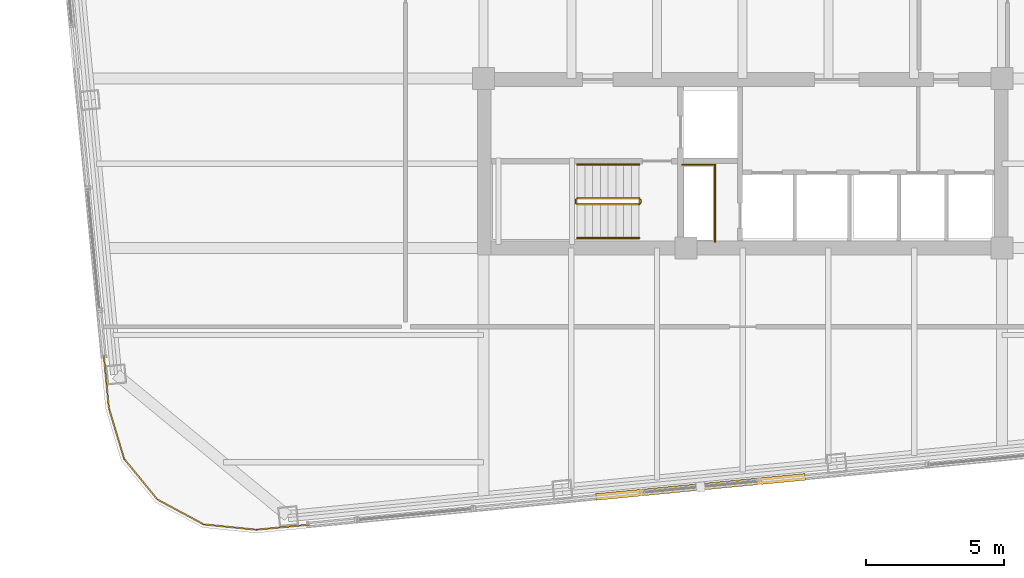
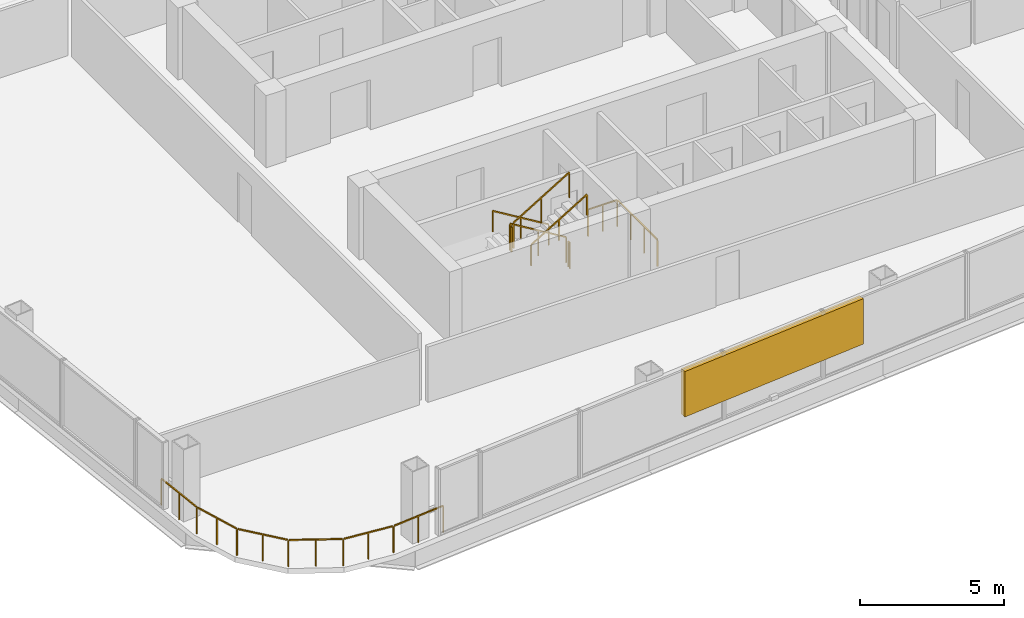
# One storey, part 26 of 28: 8 railings, 1 shading device.
"""IFC4 building model written with IfcOpenShell, lengths in metres."""

import ifcopenshell
import ifcopenshell.guid

model = None  # the IFC model being written
_history = None  # IfcOwnerHistory: only IFC2X3 demands one
_inside = {}  # id of a spatial element -> (the spatial element, [elements in it])
_under = {}  # id of a project, library or spatial element -> (it, [spatial elements below it])
_declared = {}  # id of a project -> (the project, [libraries it declares])
_typed = {}  # id of a type object -> (the type object, [elements of that type])
_made_of = {}  # id of a material, layer set ... -> (it, [elements and type objects made of it])


def new_model(schema):
    """Start an empty IFC model of exactly this schema.

    Asked for "IFC4X3", IfcOpenShell would pick the latest addendum, in which some entities
    have other attributes; the version numbers below select the first issue.
    IFC2X3 requires an IfcOwnerHistory on every rooted entity: one is made here for all.
    """
    global model, _history
    if schema == "IFC4X3":
        model = ifcopenshell.file(schema_version=(4, 3, 0, 0))
    else:
        model = ifcopenshell.file(schema=schema)
    _inside.clear()
    _under.clear()
    _declared.clear()
    _typed.clear()
    _made_of.clear()
    _history = None
    if model.schema == "IFC2X3":
        org = make("IfcOrganization", Name="unknown")
        user = make(
            "IfcPersonAndOrganization",
            ThePerson=make("IfcPerson", FamilyName="unknown"),
            TheOrganization=org,
        )
        app = make(
            "IfcApplication",
            ApplicationDeveloper=org,
            Version="unknown",
            ApplicationFullName="unknown",
            ApplicationIdentifier="unknown",
        )
        _history = make(
            "IfcOwnerHistory",
            OwningUser=user,
            OwningApplication=app,
            ChangeAction="ADDED",
            CreationDate=0,
        )
    return model


def make(cls, **values):
    """One entity of the class cls with the attributes given. An attribute that is None is left unset."""
    return model.create_entity(
        cls, **{name: value for name, value in values.items() if value is not None}
    )


def rooted(cls, **values):
    """An entity with a GlobalId (a new one), such as an element, a storey or a relation."""
    return make(cls, GlobalId=ifcopenshell.guid.new(), OwnerHistory=_history, **values)


def si_unit(unit_type, name, prefix=None):
    """IfcSIUnit, for example si_unit("LENGTHUNIT", "METRE", prefix="MILLI")."""
    return make("IfcSIUnit", UnitType=unit_type, Prefix=prefix, Name=name)


def assignment(units):
    """IfcUnitAssignment: the units of a project."""
    return None if units is None else make("IfcUnitAssignment", Units=units)


def point(xyz):
    """IfcCartesianPoint."""
    return None if xyz is None else make("IfcCartesianPoint", Coordinates=xyz)


def direction(xyz):
    """IfcDirection."""
    return None if xyz is None else make("IfcDirection", DirectionRatios=xyz)


def frame(location, z_axis=None, x_axis=None):
    """IfcAxis2Placement3D, a coordinate frame: its origin and axes. An axis left out is left unset."""
    return make(
        "IfcAxis2Placement3D",
        Location=point(location),
        Axis=direction(z_axis),
        RefDirection=direction(x_axis),
    )


def frame_2d(location, x_axis=None):
    """IfcAxis2Placement2D, a coordinate frame in the plane: its origin and x axis."""
    return make(
        "IfcAxis2Placement2D", Location=point(location), RefDirection=direction(x_axis)
    )


def origin():
    """The frame at (0, 0, 0) with its axes left unset."""
    return frame((0.0, 0.0, 0.0))


def origin_2d():
    """The frame at (0, 0) in the plane with its x axis left unset."""
    return frame_2d((0.0, 0.0))


def place(relative_to, where):
    """IfcLocalPlacement: puts the frame where relative to a parent placement (None: the world)."""
    return make(
        "IfcLocalPlacement", PlacementRelTo=relative_to, RelativePlacement=where
    )


def context(
    kind, dimensions, precision=None, world=None, true_north=None, identifier=None
):
    """IfcGeometricRepresentationContext, for example the 3D "Model" context."""
    return make(
        "IfcGeometricRepresentationContext",
        ContextIdentifier=identifier,
        ContextType=kind,
        CoordinateSpaceDimension=dimensions,
        Precision=precision,
        WorldCoordinateSystem=world,
        TrueNorth=true_north,
    )


def subcontext(parent, identifier, kind, view, scale=None):
    """IfcGeometricRepresentationSubContext, for example "Body" below "Model"."""
    return make(
        "IfcGeometricRepresentationSubContext",
        ContextIdentifier=identifier,
        ContextType=kind,
        ParentContext=parent,
        TargetScale=scale,
        TargetView=view,
    )


def project(units=None, contexts=None):
    """IfcProject with its units and contexts."""
    return rooted(
        "IfcProject",
        Name="project",
        RepresentationContexts=contexts,
        UnitsInContext=assignment(units),
    )


def spatial(cls, under=None, at=None, **own):
    """A site, building, storey or space (cls), placed at a placement, below another one or the project."""
    s = rooted(cls, ObjectPlacement=at, **own)
    if under is not None:
        _under.setdefault(under.id(), (under, []))[1].append(s)
    return s


def profile(cls, at=None, kind="AREA", **sizes):
    """A parametric profile (cls). Its sizes go by their IFC names, for example OverallWidth=200.0."""
    return make(cls, ProfileType=kind, Position=at, **sizes)


def rectangle(**sizes):
    """IfcRectangleProfileDef."""
    return profile("IfcRectangleProfileDef", **sizes)


def extrude(swept, where, along, depth):
    """IfcExtrudedAreaSolid: the profile swept, set in the frame where, extruded along a direction by depth."""
    return make(
        "IfcExtrudedAreaSolid",
        SweptArea=swept,
        Position=where,
        ExtrudedDirection=direction(along),
        Depth=depth,
    )


def shape(context_of_items, identifier, shape_type, items):
    """IfcShapeRepresentation: the items that make up one representation, for example the "Body"."""
    return make(
        "IfcShapeRepresentation",
        ContextOfItems=context_of_items,
        RepresentationIdentifier=identifier,
        RepresentationType=shape_type,
        Items=items,
    )


def material(Name=None, Category=None):
    """IfcMaterial."""
    return make("IfcMaterial", Name=Name, Category=Category)


def made_of(thing, what):
    """Note that an element or type object is made of a material, layer set ...; save() writes the relation."""
    if what is not None:
        _made_of.setdefault(what.id(), (what, []))[1].append(thing)
    return thing


def type_object(cls, material=None, **own):
    """A type object (cls), such as IfcWallType, which elements share."""
    return made_of(rooted(cls, **own), material)


def element(
    cls,
    number,
    at=None,
    inside=None,
    cuts=None,
    type_object=None,
    material=None,
    context=None,
    identifier="Body",
    shape_type=None,
    held_by="IfcProductDefinitionShape",
    body=None,
    shapes=None,
    **own,
):
    """One element of the class cls, such as IfcWall. Its Tag is "e" and its number.

    at: its placement. inside: the storey or other place that contains it. cuts: it is an
    opening in that element (IfcRelVoidsElement). A single representation is given by context,
    identifier, shape_type and body (its items); several are given by shapes. held_by: the class
    of the entity that holds the representations. save() writes the other relations.
    """
    e = rooted(cls, Tag="e%d" % number, ObjectPlacement=at, **own)
    if body is not None:
        shapes = [shape(context, identifier, shape_type, body)]
    if shapes is not None:
        e.Representation = make(held_by, Representations=shapes)
    if inside is not None:
        _inside.setdefault(inside.id(), (inside, []))[1].append(e)
    if cuts is not None:
        rooted(
            "IfcRelVoidsElement", RelatingBuildingElement=cuts, RelatedOpeningElement=e
        )
    if type_object is not None:
        _typed.setdefault(type_object.id(), (type_object, []))[1].append(e)
    return made_of(e, material)


def aggregate(whole, parts):
    """IfcRelAggregates: a whole, such as a stair, and the parts it consists of."""
    return rooted("IfcRelAggregates", RelatingObject=whole, RelatedObjects=parts)


def save(model, path):
    """Write the relations noted so far, then the file.

    IfcRelAggregates (storeys below a building ...), IfcRelContainedInSpatialStructure (elements
    in a storey), IfcRelDefinesByType, IfcRelAssociatesMaterial and IfcRelDeclares: one each for
    every whole, place, type object, material and project.
    """
    for whole, parts in _under.values():
        aggregate(whole, parts)
    for where, things in _inside.values():
        rooted(
            "IfcRelContainedInSpatialStructure",
            RelatedElements=things,
            RelatingStructure=where,
        )
    for kind, things in _typed.values():
        rooted("IfcRelDefinesByType", RelatedObjects=things, RelatingType=kind)
    for what, things in _made_of.values():
        rooted("IfcRelAssociatesMaterial", RelatedObjects=things, RelatingMaterial=what)
    for by, libraries in _declared.values():
        rooted("IfcRelDeclares", RelatingContext=by, RelatedDefinitions=libraries)
    model.write(path)


model = new_model("IFC4")

# Units and contexts
model_context = context("Model", 3, precision=1e-05, world=origin(), true_north=direction((0.0, 1.0)))
body_context = subcontext(model_context, "Body", "Model", "MODEL_VIEW")
ifc_project = project(units=[si_unit("LENGTHUNIT", "METRE"), si_unit("AREAUNIT", "SQUARE_METRE"), si_unit("VOLUMEUNIT", "CUBIC_METRE"), si_unit("PLANEANGLEUNIT", "RADIAN"), si_unit("MASSUNIT", "GRAM", prefix="KILO")], contexts=[model_context])

# Site, building, storey
site_placement = place(None, origin())
site = spatial("IfcSite", under=ifc_project, at=site_placement, CompositionType="ELEMENT")
building_placement = place(site_placement, origin())
building = spatial("IfcBuilding", under=site, at=building_placement, Name="Qhalaya Broadcast Tower", CompositionType="ELEMENT")
storey_placement = place(building_placement, frame((0.0, 0.0, 159.199951171875)))
storey = spatial("IfcBuildingStorey", under=building, at=storey_placement, Name="L46", CompositionType="ELEMENT", Elevation=159.199951171875)

# Railings
ifc_material_1 = material(Name="Powder-Coated Galvanised Steel", Category="steel")
railing_type_1 = type_object("IfcRailingType", Name="Stair Wall Handrail 900", PredefinedType="HANDRAIL", material=ifc_material_1)
railing_1_placement = place(storey_placement, frame((-3.75, -5.72998046875, 0.16943359375)))
element("IfcRailing", 1, at=railing_1_placement, inside=storey, type_object=railing_type_1, Name="L46 ST-2 Stair Handrail 1", PredefinedType="HANDRAIL", context=body_context, shape_type="SweptSolid", body=[
    extrude(rectangle(XDim=0.048095703125, YDim=0.048095703125, at=origin_2d()), frame((0.0, 0.0, 0.8759765625), z_axis=(-0.855512035549, 0.0, 0.517782924622), x_axis=(0.0, -1.0, 0.0)), (0.0, 0.0, 1.0), 2.618408203125),
    extrude(rectangle(XDim=0.0419921875, YDim=0.0419921875, at=origin_2d()), origin(), (0.0, 0.0, 1.0), 0.849853515625),
    extrude(rectangle(XDim=0.0419921875, YDim=0.0419921875, at=origin_2d()), frame((-1.1201171875, 0.0, 0.677734375)), (0.0, 0.0, 1.0), 0.849853515625),
    extrude(rectangle(XDim=0.0419921875, YDim=0.0419921875, at=origin_2d()), frame((-2.239990234375, 0.0, 1.355712890625)), (0.0, 0.0, 1.0), 0.849853515625),
])
railing_2_placement = place(storey_placement, frame((-5.989990234375, -8.389892578125, 1.694580078125)))
element("IfcRailing", 2, at=railing_2_placement, inside=storey, type_object=railing_type_1, Name="L46 ST-2 Stair Handrail 2", PredefinedType="HANDRAIL", context=body_context, shape_type="SweptSolid", body=[
    extrude(rectangle(XDim=0.048095703125, YDim=0.048095703125, at=origin_2d()), frame((0.0, 0.0, 0.8759765625), z_axis=(0.855553338991, 0.0, 0.51771467445), x_axis=(0.0, 1.0, 0.0)), (0.0, 0.0, 1.0), 2.6181640625),
    extrude(rectangle(XDim=0.0419921875, YDim=0.0419921875, at=origin_2d()), origin(), (0.0, 0.0, 1.0), 0.849853515625),
    extrude(rectangle(XDim=0.0419921875, YDim=0.0419921875, at=origin_2d()), frame((1.1201171875, 0.0, 0.677734375)), (0.0, 0.0, 1.0), 0.849853515625),
    extrude(rectangle(XDim=0.0419921875, YDim=0.0419921875, at=origin_2d()), frame((2.239990234375, 0.0, 1.35546875)), (0.0, 0.0, 1.0), 0.849853515625),
])
railing_type_2 = type_object("IfcRailingType", Name="Stair Well & Landing Guardrail 1100", PredefinedType="GUARDRAIL", material=ifc_material_1)
railing_3_placement = place(storey_placement, frame((-1.0, -8.52001953125, 0.0)))
element("IfcRailing", 3, at=railing_3_placement, inside=storey, type_object=railing_type_2, Name="L46 Service Riser Opening Safety Guard SRSR", PredefinedType="GUARDRAIL", context=body_context, shape_type="SweptSolid", body=[
    extrude(rectangle(XDim=0.048095703125, YDim=0.048095703125, at=origin_2d()), frame((0.0, 0.0, 1.1259765625), z_axis=(0.0, 1.0, 0.0), x_axis=(-1.0, 0.0, 0.0)), (0.0, 0.0, 1.0), 2.751220703125),
    extrude(rectangle(XDim=0.048095703125, YDim=0.048095703125, at=origin_2d()), frame((-0.02880859375, 2.780029296875, 1.1259765625), z_axis=(-1.0, 0.0, 0.0), x_axis=(0.0, -1.0, 0.0)), (0.0, 0.0, 1.0), 1.151123046875),
    extrude(rectangle(XDim=0.0419921875, YDim=0.0419921875, at=origin_2d()), origin(), (0.0, 0.0, 1.0), 1.099853515625),
    extrude(rectangle(XDim=0.0419921875, YDim=0.0419921875, at=origin_2d()), frame((0.0, 0.9267578125, 0.0)), (0.0, 0.0, 1.0), 1.099853515625),
    extrude(rectangle(XDim=0.0419921875, YDim=0.0419921875, at=origin_2d()), frame((0.0, 1.853271484375, 0.0)), (0.0, 0.0, 1.0), 1.099853515625),
    extrude(rectangle(XDim=0.0419921875, YDim=0.0419921875, at=origin_2d()), frame((0.0, 2.780029296875, 0.0)), (0.0, 0.0, 1.0), 1.099853515625),
    extrude(rectangle(XDim=0.0419921875, YDim=0.0419921875, at=origin_2d()), frame((-0.58984375, 2.780029296875, 0.0)), (0.0, 0.0, 1.0), 1.099853515625),
    extrude(rectangle(XDim=0.0419921875, YDim=0.0419921875, at=origin_2d()), frame((-1.179931640625, 2.780029296875, 0.0)), (0.0, 0.0, 1.0), 1.099853515625),
])
railing_4_placement = place(storey_placement, frame((-3.75, -6.949951171875, 0.16943359375)))
element("IfcRailing", 4, at=railing_4_placement, inside=storey, type_object=railing_type_2, Name="L46 ST-2 Stair Guard 1", PredefinedType="GUARDRAIL", context=body_context, shape_type="SweptSolid", body=[
    extrude(rectangle(XDim=0.048095703125, YDim=0.048095703125, at=origin_2d()), frame((0.0, 0.0, 1.076171875), z_axis=(-0.855512035549, 0.0, 0.517782924622), x_axis=(0.0, -1.0, 0.0)), (0.0, 0.0, 1.0), 2.618408203125),
    extrude(rectangle(XDim=0.0419921875, YDim=0.0419921875, at=origin_2d()), origin(), (0.0, 0.0, 1.0), 1.050048828125),
    extrude(rectangle(XDim=0.0419921875, YDim=0.0419921875, at=origin_2d()), frame((-1.1201171875, 0.0, 0.677734375)), (0.0, 0.0, 1.0), 1.050048828125),
    extrude(rectangle(XDim=0.0419921875, YDim=0.0419921875, at=origin_2d()), frame((-2.239990234375, 0.0, 1.355712890625)), (0.0, 0.0, 1.0), 1.050048828125),
])
railing_5_placement = place(storey_placement, frame((-6.0400390625, -7.0, 1.525146484375)))
element("IfcRailing", 5, at=railing_5_placement, inside=storey, type_object=railing_type_2, Name="L46 ST-2 Stair Guard 2", PredefinedType="GUARDRAIL", context=body_context, shape_type="SweptSolid", body=[
    extrude(rectangle(XDim=0.048095703125, YDim=0.048095703125, at=origin_2d()), frame((0.0, 0.0, 1.076171875), z_axis=(0.0, -1.0, 0.0), x_axis=(1.0, 0.0, 0.0)), (0.0, 0.0, 1.0), 0.1201171875),
    extrude(rectangle(XDim=0.0419921875, YDim=0.0419921875, at=origin_2d()), origin(), (0.0, 0.0, 1.0), 1.050048828125),
    extrude(rectangle(XDim=0.0419921875, YDim=0.0419921875, at=origin_2d()), frame((0.0, -0.1201171875, 0.0)), (0.0, 0.0, 1.0), 1.050048828125),
])
railing_6_placement = place(storey_placement, frame((-5.989990234375, -7.169921875, 1.694580078125)))
element("IfcRailing", 6, at=railing_6_placement, inside=storey, type_object=railing_type_2, Name="L46 ST-2 Stair Guard 3", PredefinedType="GUARDRAIL", context=body_context, shape_type="SweptSolid", body=[
    extrude(rectangle(XDim=0.048095703125, YDim=0.048095703125, at=origin_2d()), frame((0.0, 0.0, 1.076171875), z_axis=(0.855553338991, 0.0, 0.51771467445), x_axis=(0.0, 1.0, 0.0)), (0.0, 0.0, 1.0), 2.6181640625),
    extrude(rectangle(XDim=0.0419921875, YDim=0.0419921875, at=origin_2d()), origin(), (0.0, 0.0, 1.0), 1.050048828125),
    extrude(rectangle(XDim=0.0419921875, YDim=0.0419921875, at=origin_2d()), frame((1.1201171875, 0.0, 0.677734375)), (0.0, 0.0, 1.0), 1.050048828125),
    extrude(rectangle(XDim=0.0419921875, YDim=0.0419921875, at=origin_2d()), frame((2.239990234375, 0.0, 1.35546875)), (0.0, 0.0, 1.0), 1.050048828125),
])
railing_7_placement = place(storey_placement, frame((-3.699951171875, -7.0, 0.0)))
element("IfcRailing", 7, at=railing_7_placement, inside=storey, type_object=railing_type_2, Name="L46 ST-2 Stair Guard 4", PredefinedType="GUARDRAIL", context=body_context, shape_type="SweptSolid", body=[
    extrude(rectangle(XDim=0.048095703125, YDim=0.048095703125, at=origin_2d()), frame((0.0, 0.0, 1.076171875), z_axis=(0.0, -1.0, 0.0), x_axis=(1.0, 0.0, 0.0)), (0.0, 0.0, 1.0), 0.1201171875),
    extrude(rectangle(XDim=0.0419921875, YDim=0.0419921875, at=origin_2d()), origin(), (0.0, 0.0, 1.0), 1.050048828125),
    extrude(rectangle(XDim=0.0419921875, YDim=0.0419921875, at=origin_2d()), frame((0.0, -0.1201171875, 0.0)), (0.0, 0.0, 1.0), 1.050048828125),
])
railing_type_3 = type_object("IfcRailingType", Name="Terrace, Sky-Pool & Lookout Glass Balustrade 1150", PredefinedType="BALUSTRADE", material=ifc_material_1)
railing_8_placement = place(storey_placement, frame((-15.479736328125, -18.73681640625, 0.0)))
element("IfcRailing", 8, at=railing_8_placement, inside=storey, type_object=railing_type_3, Name="L46 Rounded Corner Perimeter Guard 02", PredefinedType="BALUSTRADE", context=body_context, shape_type="SweptSolid", body=[
    extrude(rectangle(XDim=0.048095703125, YDim=0.048095703125, at=origin_2d()), frame((0.0, 0.0, 1.1259765625), z_axis=(-0.995391273094, -0.095896889673, 0.0), x_axis=(0.095896889673, -0.995391273094, 0.0)), (0.0, 0.0, 1.0), 2.08935546875),
    extrude(rectangle(XDim=0.048095703125, YDim=0.048095703125, at=origin_2d()), frame((-2.13720703125, -0.2001953125, 1.1259765625), z_axis=(-0.994968808814, 0.100185175984, 0.0), x_axis=(-0.100185175984, -0.994968808814, 0.0)), (0.0, 0.0, 1.0), 1.857666015625),
    extrude(rectangle(XDim=0.048095703125, YDim=0.048095703125, at=origin_2d()), frame((-4.03955078125, 0.00244140625, 1.1259765625), z_axis=(-0.880932037714, 0.473242797018, 0.0), x_axis=(-0.473242797018, -0.880932037714, 0.0)), (0.0, 0.0, 1.0), 1.845458984375),
    extrude(rectangle(XDim=0.048095703125, YDim=0.048095703125, at=origin_2d()), frame((-5.708984375, 0.911865234375, 1.1259765625), z_axis=(-0.632671796541, 0.774420039683, 0.0), x_axis=(-0.774420039683, -0.632671796541, 0.0)), (0.0, 0.0, 1.0), 1.845458984375),
    extrude(rectangle(XDim=0.048095703125, YDim=0.048095703125, at=origin_2d()), frame((-6.903076171875, 2.390869140625, 1.1259765625), z_axis=(-0.288213171456, 0.95756627332, 0.0), x_axis=(-0.95756627332, -0.288213171456, 0.0)), (0.0, 0.0, 1.0), 1.857421875),
    extrude(rectangle(XDim=0.048095703125, YDim=0.048095703125, at=origin_2d()), frame((-7.449462890625, 4.22607421875, 1.1259765625), z_axis=(-0.095782687057, 0.995402268864, 0.0), x_axis=(-0.995402268864, -0.095782687057, 0.0)), (0.0, 0.0, 1.0), 2.08935546875),
    extrude(rectangle(XDim=0.0419921875, YDim=0.0419921875, at=origin_2d()), origin(), (0.0, 0.0, 1.0), 1.099853515625),
    extrude(rectangle(XDim=0.0419921875, YDim=0.0419921875, at=origin_2d()), frame((-1.05419921875, -0.1015625, 0.0)), (0.0, 0.0, 1.0), 1.099853515625),
    extrude(rectangle(XDim=0.0419921875, YDim=0.0419921875, at=origin_2d()), frame((-2.1083984375, -0.203125, 0.0)), (0.0, 0.0, 1.0), 1.099853515625),
    extrude(rectangle(XDim=0.0419921875, YDim=0.0419921875, at=origin_2d()), frame((-3.061279296875, -0.107177734375, 0.0)), (0.0, 0.0, 1.0), 1.099853515625),
    extrude(rectangle(XDim=0.0419921875, YDim=0.0419921875, at=origin_2d()), frame((-4.01416015625, -0.01123046875, 0.0)), (0.0, 0.0, 1.0), 1.099853515625),
    extrude(rectangle(XDim=0.0419921875, YDim=0.0419921875, at=origin_2d()), frame((-4.8525390625, 0.43896484375, 0.0)), (0.0, 0.0, 1.0), 1.099853515625),
    extrude(rectangle(XDim=0.0419921875, YDim=0.0419921875, at=origin_2d()), frame((-5.690673828125, 0.889404296875, 0.0)), (0.0, 0.0, 1.0), 1.099853515625),
    extrude(rectangle(XDim=0.0419921875, YDim=0.0419921875, at=origin_2d()), frame((-6.292724609375, 1.62646484375, 0.0)), (0.0, 0.0, 1.0), 1.099853515625),
    extrude(rectangle(XDim=0.0419921875, YDim=0.0419921875, at=origin_2d()), frame((-6.894775390625, 2.36328125, 0.0)), (0.0, 0.0, 1.0), 1.099853515625),
    extrude(rectangle(XDim=0.0419921875, YDim=0.0419921875, at=origin_2d()), frame((-7.1708984375, 3.2802734375, 0.0)), (0.0, 0.0, 1.0), 1.099853515625),
    extrude(rectangle(XDim=0.0419921875, YDim=0.0419921875, at=origin_2d()), frame((-7.44677734375, 4.197265625, 0.0)), (0.0, 0.0, 1.0), 1.099853515625),
    extrude(rectangle(XDim=0.0419921875, YDim=0.0419921875, at=origin_2d()), frame((-7.54833984375, 5.25146484375, 0.0)), (0.0, 0.0, 1.0), 1.099853515625),
    extrude(rectangle(XDim=0.0419921875, YDim=0.0419921875, at=origin_2d()), frame((-7.649658203125, 6.3056640625, 0.0)), (0.0, 0.0, 1.0), 1.099853515625),
])

# Shading device
ifc_material_2 = material(Name="Fired Architectural Terracotta", Category="masonry")
shading_device_type = type_object("IfcShadingDeviceType", Name="Terracotta Baguette Solar Screen Assembly TBS-01", PredefinedType="USERDEFINED", material=ifc_material_2)
shading_device_placement = place(storey_placement, frame((-1.5244140625, -17.393310546875, 0.79248046875), z_axis=(0.0, 0.0, 1.0), x_axis=(0.995396198367, 0.09584575252, 0.0)))
element("IfcShadingDevice", 9, at=shading_device_placement, inside=storey, type_object=shading_device_type, Name="L46 Fired Terracotta Baguette Screen S", ObjectType="BAGUETTE", PredefinedType="USERDEFINED", context=body_context, shape_type="SweptSolid", body=[
    extrude(rectangle(XDim=7.60009765625, YDim=0.239990234375, at=origin_2d()), origin(), (0.0, 0.0, 1.0), 1.924072265625),
])

save(model, "model.ifc")
